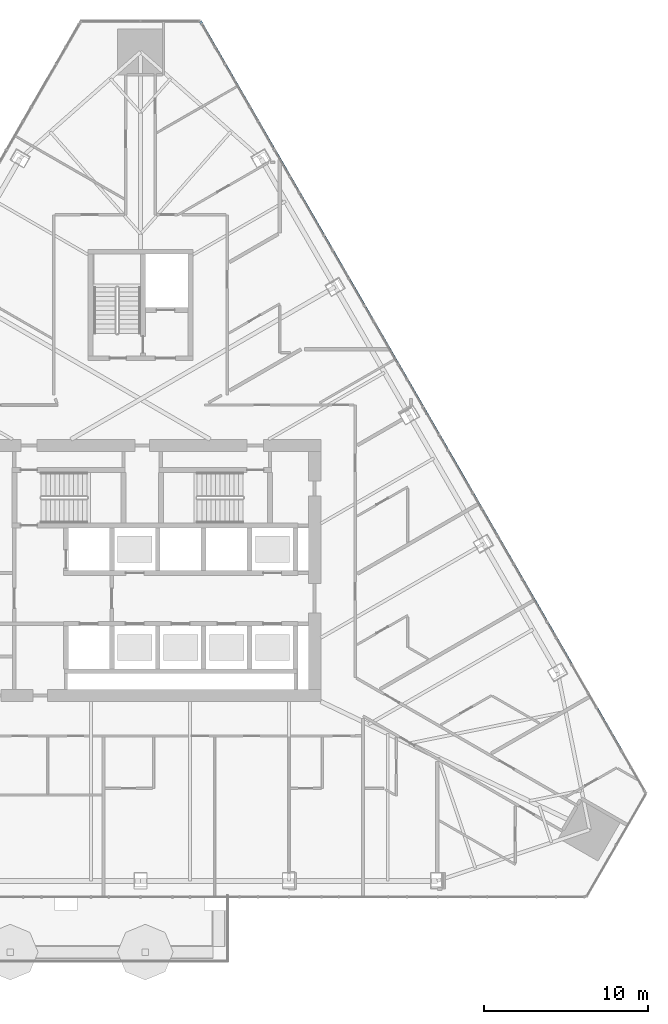
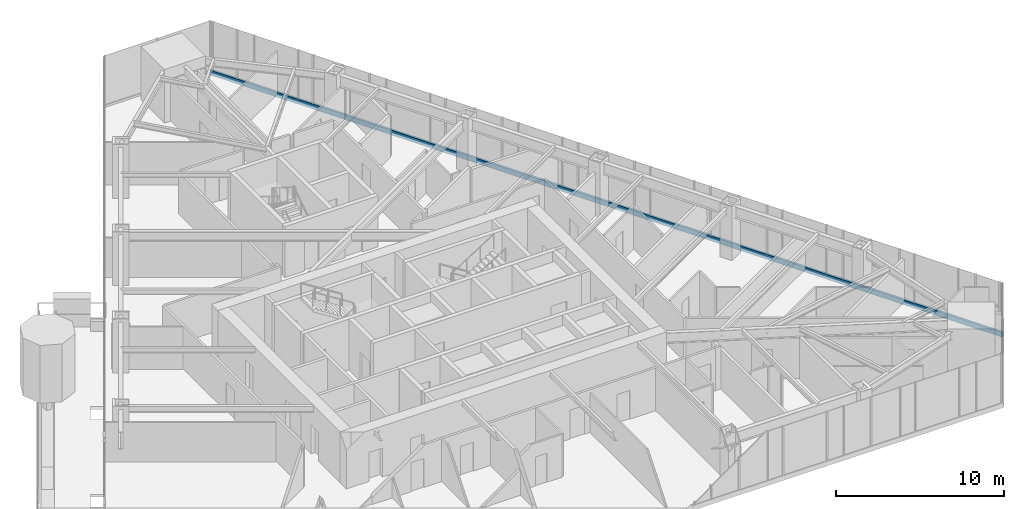
# One storey, part 12 of 32: 1 member, 1 element without a shape of its own.
"""IFC4 building model written with IfcOpenShell, lengths in metres."""

from ifc_helpers import new_model, si_unit, direction, frame, origin, origin_2d, place, context, subcontext, project, spatial, rectangle, extrude, material, layer, layer_set, material_profile, profile_set, type_object, element, aggregate, save


model = new_model("IFC4")

# Units and contexts
model_context = context("Model", 3, precision=1e-05, world=origin(), true_north=direction((0.0, 1.0)))
body_context = subcontext(model_context, "Body", "Model", "MODEL_VIEW")
ifc_project = project(units=[si_unit("LENGTHUNIT", "METRE"), si_unit("AREAUNIT", "SQUARE_METRE"), si_unit("VOLUMEUNIT", "CUBIC_METRE"), si_unit("PLANEANGLEUNIT", "RADIAN"), si_unit("MASSUNIT", "GRAM", prefix="KILO")], contexts=[model_context])

# Site, building, storey
site_placement = place(None, origin())
site = spatial("IfcSite", under=ifc_project, at=site_placement, CompositionType="ELEMENT")
building_placement = place(site_placement, origin())
building = spatial("IfcBuilding", under=site, at=building_placement, Name="Firuza Gate Tower and Library", CompositionType="ELEMENT")
storey_placement = place(building_placement, frame((0.0, 0.0, 163.60009765625)))
storey = spatial("IfcBuildingStorey", under=building, at=storey_placement, Name="L37", CompositionType="ELEMENT", Elevation=163.60009765625)

# Curtain wall, member
ifc_material_1 = material(Name="Aluminium 6063-T6", Category="aluminium")
ifc_layer = layer(ifc_material_1, 0.14990234375)
ifc_layer_set = layer_set([ifc_layer], Name="Unitised curtain wall, hotel")
curtain_wall_type = type_object("IfcCurtainWallType", Name="Unitised curtain wall, hotel", PredefinedType="NOTDEFINED", material=ifc_layer_set)
curtain_wall_placement = place(storey_placement, origin())
curtain_wall = element("IfcCurtainWall", 1, at=curtain_wall_placement, inside=storey, type_object=curtain_wall_type, Name="CW2 L37 E face", PredefinedType="NOTDEFINED")
ifc_material_2 = material(Name="Aluminium 6063-T6", Category="aluminium")
ifc_material_profile = material_profile(ifc_material_2, rectangle(XDim=0.14990234375, YDim=0.35009765625, at=origin_2d()))
ifc_profile_set = profile_set([ifc_material_profile], Name="Aluminium 6063-T6")
member_type = type_object("IfcMemberType", Name="Curtain wall transom 350x150", PredefinedType="USERDEFINED", material=ifc_profile_set)
member_placement = place(storey_placement, frame((105.8486328125, 61.396484375, -0.025146484375), z_axis=(-0.500001200032, 0.866024710944, 0.0), x_axis=(-0.866024710944, -0.500001200032, 0.0)))
member = element("IfcMember", 2, at=member_placement, type_object=member_type, Name="Transom", ObjectType="TRANSOM", PredefinedType="USERDEFINED", context=body_context, shape_type="SweptSolid", body=[
    extrude(rectangle(XDim=0.14990234375, YDim=0.35009765625, at=origin_2d()), origin(), (0.0, 0.0, 1.0), 54.410400390625),
])
aggregate(curtain_wall, [member])

save(model, "model.ifc")
